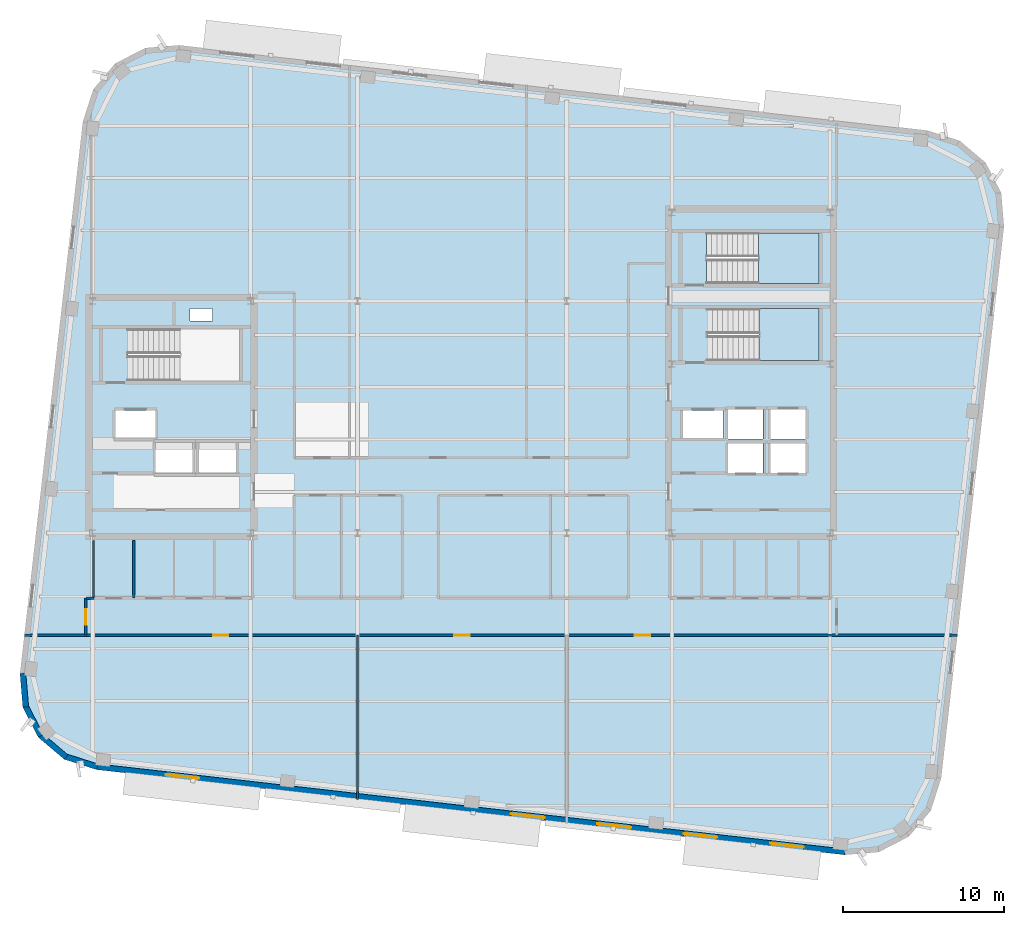
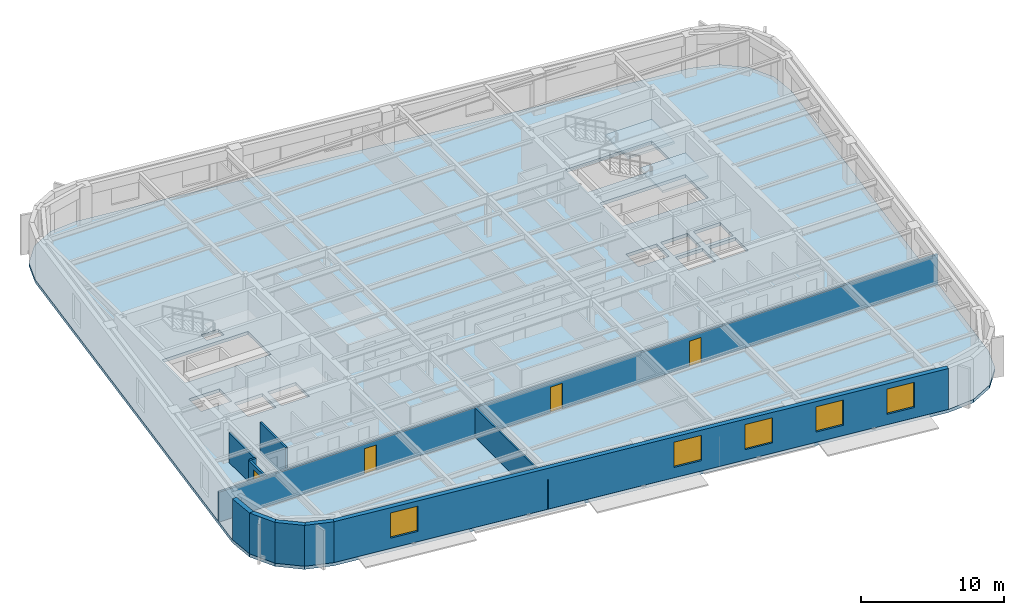
# One storey, part 5 of 14: 11 walls, 5 windows, 4 doors, 3 slabs, 9 openings, 2 elements without a shape of their own.
"""IFC4 building model written with IfcOpenShell, lengths in metres."""

from ifc_helpers import new_model, si_unit, direction, frame, frame_2d, origin, place, context, subcontext, project, spatial, polyline, rectangle, outline, extrude, material, layer, layer_set, type_object, element, fill, aggregate, save


model = new_model("IFC4")

# Units and contexts
model_context = context("Model", 3, precision=1e-05, world=origin(), true_north=direction((0.0, 1.0)))
body_context = subcontext(model_context, "Body", "Model", "MODEL_VIEW")
ifc_project = project(units=[si_unit("LENGTHUNIT", "METRE"), si_unit("AREAUNIT", "SQUARE_METRE"), si_unit("VOLUMEUNIT", "CUBIC_METRE"), si_unit("PLANEANGLEUNIT", "RADIAN"), si_unit("MASSUNIT", "GRAM", prefix="KILO")], contexts=[model_context])

# Site, building, storey
site_placement = place(None, origin())
site = spatial("IfcSite", under=ifc_project, at=site_placement, CompositionType="ELEMENT")
building_placement = place(site_placement, origin())
building = spatial("IfcBuilding", under=site, at=building_placement, Name="Kolvaren Arena Tower", CompositionType="ELEMENT")
storey_placement = place(building_placement, frame((0.0, 0.0, 258.449951171875)))
storey = spatial("IfcBuildingStorey", under=building, at=storey_placement, Name="L63", CompositionType="ELEMENT", Elevation=258.449951171875)

# Stair, slab
ifc_material_1 = material(Name="Concrete 45 MPa", Category="concrete")
stair_type_1 = type_object("IfcStairType", Name="STAIR-CORE-165", PredefinedType="HALF_TURN_STAIR", material=ifc_material_1)
stair_1_placement = place(storey_placement, origin())
stair_1 = element("IfcStair", 1, at=stair_1_placement, inside=storey, type_object=stair_type_1, Name="L63 ST-E1", PredefinedType="HALF_TURN_STAIR")
ifc_layer_1 = layer(ifc_material_1, 0.199951171875)
ifc_layer_set_1 = layer_set([ifc_layer_1], Name="Concrete 45 MPa")
slab_type_1 = type_object("IfcSlabType", Name="SLAB-LAND", PredefinedType="LANDING", material=ifc_layer_set_1)
slab_1_placement = place(storey_placement, frame((0.0, 0.0, 1.675048828125)))
slab_1 = element("IfcSlab", 2, at=slab_1_placement, type_object=slab_type_1, Name="ST-E1 landing 1", PredefinedType="LANDING", context=body_context, shape_type="SweptSolid", body=[
    extrude(outline(polyline([(55.9599609375, 30.14990234375), (59.659912109375, 30.14990234375), (59.659912109375, 33.3798828125), (55.9599609375, 33.3798828125), (55.9599609375, 30.14990234375)])), origin(), (0.0, 0.0, 1.0), 0.199951171875),
])
aggregate(stair_1, [slab_1])

stair_type_2 = type_object("IfcStairType", Name="STAIR-CORE-150", PredefinedType="HALF_TURN_STAIR", material=ifc_material_1)
stair_2_placement = place(storey_placement, origin())
stair_2 = element("IfcStair", 3, at=stair_2_placement, inside=storey, type_object=stair_type_2, Name="L63 ST-E2", PredefinedType="HALF_TURN_STAIR")
slab_2_placement = place(storey_placement, frame((0.0, 0.0, 1.675048828125)))
slab_2 = element("IfcSlab", 4, at=slab_2_placement, type_object=slab_type_1, Name="ST-E2 landing 1", PredefinedType="LANDING", context=body_context, shape_type="SweptSolid", body=[
    extrude(outline(polyline([(55.919921875, 34.949951171875), (59.659912109375, 34.949951171875), (59.659912109375, 38.10009765625), (55.919921875, 38.10009765625), (55.919921875, 34.949951171875)])), origin(), (0.0, 0.0, 1.0), 0.199951171875),
])
aggregate(stair_2, [slab_2])

# Slab
ifc_layer_2 = layer(ifc_material_1, 0.27001953125)
ifc_layer_set_2 = layer_set([ifc_layer_2], Name="Concrete 45 MPa")
slab_type_2 = type_object("IfcSlabType", Name="SLAB-OFF2", PredefinedType="FLOOR", material=ifc_layer_set_2)
slab_3_placement = place(storey_placement, frame((0.0, 0.0, -0.27001953125)))
element("IfcSlab", 5, at=slab_3_placement, inside=storey, type_object=slab_type_2, Name="L63 Primary Structural Slab", PredefinedType="FLOOR", context=body_context, shape_type="SweptSolid", body=[
    extrude(outline(polyline([(61.285400390625, -0.553466796875), (63.38525390625, -0.37890625), (65.25830078125, 0.585693359375), (66.619873046875, 2.194091796875), (67.26220703125, 4.20068359375), (71.16748046875, 38.47900390625), (70.9931640625, 40.57861328125), (70.0283203125, 42.45166015625), (68.42041015625, 43.81298828125), (66.41357421875, 44.455322265625), (19.91455078125, 49.75341796875), (17.814697265625, 49.578857421875), (15.941650390625, 48.6142578125), (14.580078125, 47.006103515625), (13.93798828125, 44.99951171875), (10.032470703125, 10.72119140625), (10.206787109375, 8.621337890625), (11.171630859375, 6.748291015625), (12.77978515625, 5.386962890625), (14.786376953125, 4.74462890625), (61.285400390625, -0.553466796875)]), holes=[polyline([(20.739990234375, 23.135009765625), (18.4599609375, 23.135009765625), (18.4599609375, 25.06494140625), (20.739990234375, 25.06494140625), (20.739990234375, 23.135009765625)]), polyline([(21.159912109375, 23.135009765625), (21.159912109375, 25.06494140625), (23.43994140625, 25.06494140625), (23.43994140625, 23.135009765625), (21.159912109375, 23.135009765625)]), polyline([(56.2099609375, 23.18505859375), (54.030029296875, 23.18505859375), (54.030029296875, 25.014892578125), (56.2099609375, 25.014892578125), (56.2099609375, 23.18505859375)]), polyline([(56.669921875, 23.18505859375), (56.669921875, 25.014892578125), (58.85009765625, 25.014892578125), (58.85009765625, 23.18505859375), (56.669921875, 23.18505859375)]), polyline([(54.030029296875, 25.284912109375), (54.030029296875, 27.114990234375), (56.2099609375, 27.114990234375), (56.2099609375, 25.284912109375), (54.030029296875, 25.284912109375)]), polyline([(58.85009765625, 25.284912109375), (56.669921875, 25.284912109375), (56.669921875, 27.114990234375), (58.85009765625, 27.114990234375), (58.85009765625, 25.284912109375)]), polyline([(15.9599609375, 25.3349609375), (15.9599609375, 27.06494140625), (18.43994140625, 27.06494140625), (18.43994140625, 25.3349609375), (15.9599609375, 25.3349609375)]), polyline([(53.699951171875, 25.3349609375), (51.219970703125, 25.3349609375), (51.219970703125, 27.06494140625), (53.699951171875, 27.06494140625), (53.699951171875, 25.3349609375)]), polyline([(16.735107421875, 28.89990234375), (16.735107421875, 32.1298828125), (23.659912109375, 32.1298828125), (23.659912109375, 28.89990234375), (16.735107421875, 28.89990234375)]), polyline([(52.735107421875, 30.14990234375), (52.735107421875, 33.3798828125), (59.659912109375, 33.3798828125), (59.659912109375, 30.14990234375), (52.735107421875, 30.14990234375)]), polyline([(20.60009765625, 32.6201171875), (20.60009765625, 33.39990234375), (22.0, 33.39990234375), (22.0, 32.6201171875), (20.60009765625, 32.6201171875)]), polyline([(52.695068359375, 34.949951171875), (52.695068359375, 38.10009765625), (59.659912109375, 38.10009765625), (59.659912109375, 34.949951171875), (52.695068359375, 34.949951171875)])]), origin(), (0.0, 0.0, 1.0), 0.27001953125),
])

# Wall, openings, doors
ifc_material_2 = material(Name="Gypsum board acoustic assembly", Category="gypsum")
ifc_layer_3 = layer(ifc_material_2, 0.159912109375)
ifc_layer_set_3 = layer_set([ifc_layer_3], Name="Gypsum board acoustic assembly")
wall_type_1 = type_object("IfcWallType", Name="CORR-160", PredefinedType="PARTITIONING", material=ifc_layer_set_3)
wall_1_placement = place(storey_placement, frame((10.303466796875, 13.10009765625, 0.0), z_axis=(0.0, 0.0, 1.0), x_axis=(1.0, 0.0, 0.0)))
wall_1 = element("IfcWall", 6, at=wall_1_placement, inside=storey, type_object=wall_type_1, Name="Interior Partition Wall (L63)", PredefinedType="PARTITIONING", context=body_context, shape_type="SweptSolid", body=[
    extrude(rectangle(XDim=57.97265625, YDim=0.159912109375, at=frame_2d((28.986328125, 0.0))), origin(), (0.0, 0.0, 1.0), 2.5400390625),
])
opening_1_placement = place(wall_1_placement, frame((11.7216796875, 0.0, 0.0)))
opening_1 = element("IfcOpeningElement", 7, at=opening_1_placement, cuts=wall_1, Name="Opening D05", PredefinedType="OPENING", context=body_context, shape_type="SweptSolid", body=[
    extrude(rectangle(XDim=0.949951171875, YDim=2.14990234375, at=frame_2d((0.47509765625, 1.074951171875))), frame((0.0, 0.08984375, 0.0), z_axis=(0.0, -1.0, 0.0), x_axis=(1.0, 0.0, 0.0)), (0.0, 0.0, 1.0), 0.179931640625),
])
opening_2_placement = place(wall_1_placement, frame((26.7216796875, 0.0, 0.0)))
opening_2 = element("IfcOpeningElement", 8, at=opening_2_placement, cuts=wall_1, Name="Opening D05", PredefinedType="OPENING", context=body_context, shape_type="SweptSolid", body=[
    extrude(rectangle(XDim=0.949951171875, YDim=2.14990234375, at=frame_2d((0.47509765625, 1.074951171875))), frame((0.0, 0.08984375, 0.0), z_axis=(0.0, -1.0, 0.0), x_axis=(1.0, 0.0, 0.0)), (0.0, 0.0, 1.0), 0.179931640625),
])
opening_3_placement = place(wall_1_placement, frame((37.921630859375, 0.0, 0.0)))
opening_3 = element("IfcOpeningElement", 9, at=opening_3_placement, cuts=wall_1, Name="Opening D05", PredefinedType="OPENING", context=body_context, shape_type="SweptSolid", body=[
    extrude(rectangle(XDim=0.949951171875, YDim=2.14990234375, at=frame_2d((0.47509765625, 1.074951171875))), frame((0.0, 0.08984375, 0.0), z_axis=(0.0, -1.0, 0.0), x_axis=(1.0, 0.0, 0.0)), (0.0, 0.0, 1.0), 0.179931640625),
])
ifc_material_3 = material(Name="Solid-core oak acoustic office door", Category="wood")
door_type = type_object("IfcDoorType", Name="DOOR-OF-095", OperationType="NOTDEFINED", PredefinedType="DOOR", material=ifc_material_3)
door_1_placement = place(opening_1_placement, origin())
door_1 = element("IfcDoor", 10, at=door_1_placement, inside=storey, type_object=door_type, Name="Open Plan Office Door (L63)", OperationType="SINGLE_SWING_LEFT", OverallHeight=2.14990234375, OverallWidth=0.949951171875, PredefinedType="DOOR", context=body_context, shape_type="SweptSolid", body=[
    extrude(rectangle(XDim=0.949951171875, YDim=2.14990234375, at=frame_2d((0.47509765625, 1.074951171875))), frame((0.0, 0.02490234375, 0.0), z_axis=(0.0, -1.0, 0.0), x_axis=(1.0, 0.0, 0.0)), (0.0, 0.0, 1.0), 0.050048828125),
])
fill(opening_1, door_1)
door_2_placement = place(opening_2_placement, origin())
door_2 = element("IfcDoor", 11, at=door_2_placement, inside=storey, type_object=door_type, Name="Open Plan Office Door (L63)", OperationType="SINGLE_SWING_RIGHT", OverallHeight=2.14990234375, OverallWidth=0.949951171875, PredefinedType="DOOR", context=body_context, shape_type="SweptSolid", body=[
    extrude(rectangle(XDim=0.949951171875, YDim=2.14990234375, at=frame_2d((0.47509765625, 1.074951171875))), frame((0.0, 0.02490234375, 0.0), z_axis=(0.0, -1.0, 0.0), x_axis=(1.0, 0.0, 0.0)), (0.0, 0.0, 1.0), 0.050048828125),
])
fill(opening_2, door_2)
door_3_placement = place(opening_3_placement, origin())
door_3 = element("IfcDoor", 12, at=door_3_placement, inside=storey, type_object=door_type, Name="Collaborative Work Studio Door (L63)", OperationType="SINGLE_SWING_LEFT", OverallHeight=2.14990234375, OverallWidth=0.949951171875, PredefinedType="DOOR", context=body_context, shape_type="SweptSolid", body=[
    extrude(rectangle(XDim=0.949951171875, YDim=2.14990234375, at=frame_2d((0.47509765625, 1.074951171875))), frame((0.0, 0.02490234375, 0.0), z_axis=(0.0, -1.0, 0.0), x_axis=(1.0, 0.0, 0.0)), (0.0, 0.0, 1.0), 0.050048828125),
])
fill(opening_3, door_3)

# Wall, opening, door
wall_2_placement = place(storey_placement, frame((14.1201171875, 13.10009765625, 0.0), z_axis=(0.0, 0.0, 1.0), x_axis=(0.0, 1.0, 0.0)))
wall_2 = element("IfcWall", 13, at=wall_2_placement, inside=storey, type_object=wall_type_1, Name="Interior Partition Wall (L63)", PredefinedType="PARTITIONING", context=body_context, shape_type="SweptSolid", body=[
    extrude(rectangle(XDim=2.2998046875, YDim=0.159912109375, at=frame_2d((1.14990234375, 0.0))), origin(), (0.0, 0.0, 1.0), 2.5400390625),
])
opening_4_placement = place(wall_2_placement, frame((0.64990234375, 0.0, 0.0)))
opening_4 = element("IfcOpeningElement", 14, at=opening_4_placement, cuts=wall_2, Name="Opening D05", PredefinedType="OPENING", context=body_context, shape_type="SweptSolid", body=[
    extrude(rectangle(XDim=0.949951171875, YDim=2.14990234375, at=frame_2d((0.47509765625, 1.074951171875))), frame((0.0, 0.08984375, 0.0), z_axis=(0.0, -1.0, 0.0), x_axis=(1.0, 0.0, 0.0)), (0.0, 0.0, 1.0), 0.179931640625),
])
door_4_placement = place(opening_4_placement, origin())
door_4 = element("IfcDoor", 15, at=door_4_placement, inside=storey, type_object=door_type, Name="West Wing Office Door (L63)", OperationType="SINGLE_SWING_LEFT", OverallHeight=2.14990234375, OverallWidth=0.949951171875, PredefinedType="DOOR", context=body_context, shape_type="SweptSolid", body=[
    extrude(rectangle(XDim=0.949951171875, YDim=2.14990234375, at=frame_2d((0.47509765625, 1.074951171875))), frame((0.0, 0.02490234375, 0.0), z_axis=(0.0, -1.0, 0.0), x_axis=(1.0, 0.0, 0.0)), (0.0, 0.0, 1.0), 0.050048828125),
])
fill(opening_4, door_4)

# Walls
wall_3_placement = place(storey_placement, frame((14.1201171875, 15.39990234375, 0.0), z_axis=(0.0, 0.0, 1.0), x_axis=(1.0, 0.0, 0.0)))
element("IfcWall", 16, at=wall_3_placement, inside=storey, type_object=wall_type_1, Name="Interior Partition Wall (L63)", PredefinedType="PARTITIONING", context=body_context, shape_type="SweptSolid", body=[
    extrude(rectangle(XDim=0.5, YDim=0.159912109375, at=frame_2d((0.25, 0.0))), origin(), (0.0, 0.0, 1.0), 2.5400390625),
])
ifc_material_4 = material(Name="Precast concrete C50/60", Category="concrete")
ifc_layer_4 = layer(ifc_material_4, 0.360107421875)
ifc_layer_set_4 = layer_set([ifc_layer_4], Name="Precast concrete C50/60")
wall_type_2 = type_object("IfcWallType", Name="EXT-PIER2", PredefinedType="SOLIDWALL", material=ifc_layer_set_4)
wall_4_placement = place(storey_placement, frame((10.38623046875, 8.63623046875, 0.0), z_axis=(0.0, 0.0, 1.0), x_axis=(-0.082729038891, 0.996572077737, 0.0)))
element("IfcWall", 17, at=wall_4_placement, inside=storey, type_object=wall_type_2, Name="Exterior Precast Masonry-Frame Wall (L63)", PredefinedType="SOLIDWALL", context=body_context, shape_type="SweptSolid", body=[
    extrude(rectangle(XDim=2.107177734375, YDim=0.360107421875, at=frame_2d((1.0537109375, 0.0))), origin(), (0.0, 0.0, 1.0), 3.47998046875),
])
for number, where, z_axis, x_axis, name in (
    (18, (11.33154296875, 6.830810546875, 0.0), (0.0, 0.0, 1.0), (-0.457934390142, 0.888985992199, 0.0), "Exterior Precast Masonry-Frame Wall (L63)"),
    (19, (12.89599609375, 5.5244140625, 0.0), (0.0, 0.0, 1.0), (-0.763250018691, 0.646103249464, 0.0), "Exterior Precast Masonry-Frame Wall (L63)"),
    (20, (14.84130859375, 4.916015625, 0.0), (0.0, 0.0, 1.0), (-0.952393196904, 0.304872429864, 0.0), "Exterior Precast Masonry-Frame Wall (L63)"),
):
    element("IfcWall", number, at=place(storey_placement, frame(where, z_axis=z_axis, x_axis=x_axis)), inside=storey, type_object=wall_type_2, Name=name, PredefinedType="SOLIDWALL", context=body_context, shape_type="SweptSolid", body=[
        extrude(rectangle(XDim=2.10693359375, YDim=0.360107421875, at=frame_2d((1.053466796875, 0.0))), origin(), (0.0, 0.0, 1.0), 3.47998046875),
    ])

# Wall, openings, windows
wall_5_placement = place(storey_placement, frame((61.305908203125, -0.37451171875, 0.0), z_axis=(0.0, 0.0, 1.0), x_axis=(-0.993571958919, 0.113202307616, 0.0)))
wall_5 = element("IfcWall", 21, at=wall_5_placement, inside=storey, type_object=wall_type_2, Name="Exterior Precast Masonry-Frame Wall (L63)", PredefinedType="SOLIDWALL", context=body_context, shape_type="SweptSolid", body=[
    extrude(rectangle(XDim=46.7998046875, YDim=0.360107421875, at=frame_2d((23.39990234375, 0.0))), origin(), (0.0, 0.0, 1.0), 3.47998046875),
])
opening_5_placement = place(wall_5_placement, frame((2.60009765625, 0.0, 0.8798828125)))
opening_5 = element("IfcOpeningElement", 22, at=opening_5_placement, cuts=wall_5, Name="Opening W01", PredefinedType="OPENING", context=body_context, shape_type="SweptSolid", body=[
    extrude(rectangle(XDim=2.10009765625, YDim=2.14990234375, at=frame_2d((1.050048828125, 1.074951171875))), frame((0.0, 0.18994140625, 0.0), z_axis=(0.0, -1.0, 0.0), x_axis=(1.0, 0.0, 0.0)), (0.0, 0.0, 1.0), 0.380126953125),
])
opening_6_placement = place(wall_5_placement, frame((8.0, 0.0, 0.8798828125)))
opening_6 = element("IfcOpeningElement", 23, at=opening_6_placement, cuts=wall_5, Name="Opening W01", PredefinedType="OPENING", context=body_context, shape_type="SweptSolid", body=[
    extrude(rectangle(XDim=2.10009765625, YDim=2.14990234375, at=frame_2d((1.050048828125, 1.074951171875))), frame((0.0, 0.18994140625, 0.0), z_axis=(0.0, -1.0, 0.0), x_axis=(1.0, 0.0, 0.0)), (0.0, 0.0, 1.0), 0.380126953125),
])
opening_7_placement = place(wall_5_placement, frame((13.39990234375, 0.0, 0.8798828125)))
opening_7 = element("IfcOpeningElement", 24, at=opening_7_placement, cuts=wall_5, Name="Opening W01", PredefinedType="OPENING", context=body_context, shape_type="SweptSolid", body=[
    extrude(rectangle(XDim=2.10009765625, YDim=2.14990234375, at=frame_2d((1.050048828125, 1.074951171875))), frame((0.0, 0.18994140625, 0.0), z_axis=(0.0, -1.0, 0.0), x_axis=(1.0, 0.0, 0.0)), (0.0, 0.0, 1.0), 0.380126953125),
])
opening_8_placement = place(wall_5_placement, frame((18.800048828125, 0.0, 0.8798828125)))
opening_8 = element("IfcOpeningElement", 25, at=opening_8_placement, cuts=wall_5, Name="Opening W01", PredefinedType="OPENING", context=body_context, shape_type="SweptSolid", body=[
    extrude(rectangle(XDim=2.10009765625, YDim=2.14990234375, at=frame_2d((1.050048828125, 1.074951171875))), frame((0.0, 0.18994140625, 0.0), z_axis=(0.0, -1.0, 0.0), x_axis=(1.0, 0.0, 0.0)), (0.0, 0.0, 1.0), 0.380126953125),
])
opening_9_placement = place(wall_5_placement, frame((40.39990234375, 0.0, 0.8798828125)))
opening_9 = element("IfcOpeningElement", 26, at=opening_9_placement, cuts=wall_5, Name="Opening W01", PredefinedType="OPENING", context=body_context, shape_type="SweptSolid", body=[
    extrude(rectangle(XDim=2.10009765625, YDim=2.14990234375, at=frame_2d((1.050048828125, 1.074951171875))), frame((0.0, 0.18994140625, 0.0), z_axis=(0.0, -1.0, 0.0), x_axis=(1.0, 0.0, 0.0)), (0.0, 0.0, 1.0), 0.380126953125),
])
ifc_material_5 = material(Name="Triple-glazed low-E aluminium window", Category="aluminium")
window_type = type_object("IfcWindowType", Name="WIN-OFF-A", PartitioningType="DOUBLE_PANEL_VERTICAL", PredefinedType="WINDOW", material=ifc_material_5)
window_1_placement = place(opening_5_placement, origin())
window_1 = element("IfcWindow", 27, at=window_1_placement, inside=storey, type_object=window_type, Name="Punched Precast-Pier Window (L63)", OverallHeight=2.14990234375, OverallWidth=2.10009765625, PartitioningType="DOUBLE_PANEL_VERTICAL", PredefinedType="WINDOW", context=body_context, shape_type="SweptSolid", body=[
    extrude(rectangle(XDim=2.10009765625, YDim=2.14990234375, at=frame_2d((1.050048828125, 1.074951171875))), frame((0.0, 0.030029296875, 0.0), z_axis=(0.0, -1.0, 0.0), x_axis=(1.0, 0.0, 0.0)), (0.0, 0.0, 1.0), 0.06005859375),
])
fill(opening_5, window_1)
window_2_placement = place(opening_6_placement, origin())
window_2 = element("IfcWindow", 28, at=window_2_placement, inside=storey, type_object=window_type, Name="Punched Precast-Pier Window (L63)", OverallHeight=2.14990234375, OverallWidth=2.10009765625, PartitioningType="DOUBLE_PANEL_VERTICAL", PredefinedType="WINDOW", context=body_context, shape_type="SweptSolid", body=[
    extrude(rectangle(XDim=2.10009765625, YDim=2.14990234375, at=frame_2d((1.050048828125, 1.074951171875))), frame((0.0, 0.030029296875, 0.0), z_axis=(0.0, -1.0, 0.0), x_axis=(1.0, 0.0, 0.0)), (0.0, 0.0, 1.0), 0.06005859375),
])
fill(opening_6, window_2)
window_3_placement = place(opening_7_placement, origin())
window_3 = element("IfcWindow", 29, at=window_3_placement, inside=storey, type_object=window_type, Name="Punched Precast-Pier Window (L63)", OverallHeight=2.14990234375, OverallWidth=2.10009765625, PartitioningType="DOUBLE_PANEL_VERTICAL", PredefinedType="WINDOW", context=body_context, shape_type="SweptSolid", body=[
    extrude(rectangle(XDim=2.10009765625, YDim=2.14990234375, at=frame_2d((1.050048828125, 1.074951171875))), frame((0.0, 0.030029296875, 0.0), z_axis=(0.0, -1.0, 0.0), x_axis=(1.0, 0.0, 0.0)), (0.0, 0.0, 1.0), 0.06005859375),
])
fill(opening_7, window_3)
window_4_placement = place(opening_8_placement, origin())
window_4 = element("IfcWindow", 30, at=window_4_placement, inside=storey, type_object=window_type, Name="Punched Precast-Pier Window (L63)", OverallHeight=2.14990234375, OverallWidth=2.10009765625, PartitioningType="DOUBLE_PANEL_VERTICAL", PredefinedType="WINDOW", context=body_context, shape_type="SweptSolid", body=[
    extrude(rectangle(XDim=2.10009765625, YDim=2.14990234375, at=frame_2d((1.050048828125, 1.074951171875))), frame((0.0, 0.030029296875, 0.0), z_axis=(0.0, -1.0, 0.0), x_axis=(1.0, 0.0, 0.0)), (0.0, 0.0, 1.0), 0.06005859375),
])
fill(opening_8, window_4)
window_5_placement = place(opening_9_placement, origin())
window_5 = element("IfcWindow", 31, at=window_5_placement, inside=storey, type_object=window_type, Name="Punched Precast-Pier Window (L63)", OverallHeight=2.14990234375, OverallWidth=2.10009765625, PartitioningType="DOUBLE_PANEL_VERTICAL", PredefinedType="WINDOW", context=body_context, shape_type="SweptSolid", body=[
    extrude(rectangle(XDim=2.10009765625, YDim=2.14990234375, at=frame_2d((1.050048828125, 1.074951171875))), frame((0.0, 0.030029296875, 0.0), z_axis=(0.0, -1.0, 0.0), x_axis=(1.0, 0.0, 0.0)), (0.0, 0.0, 1.0), 0.06005859375),
])
fill(opening_9, window_5)

# Walls
ifc_material_6 = material(Name="Gypsum board partition assembly", Category="gypsum")
ifc_layer_5 = layer(ifc_material_6, 0.135009765625)
ifc_layer_set_5 = layer_set([ifc_layer_5], Name="Gypsum board partition assembly")
wall_type_3 = type_object("IfcWallType", Name="PART-135", PredefinedType="PARTITIONING", material=ifc_layer_set_5)
wall_6_placement = place(storey_placement, frame((31.0, 2.897216796875, 0.0), z_axis=(0.0, 0.0, 1.0), x_axis=(0.0, 1.0, 0.0)))
element("IfcWall", 32, at=wall_6_placement, inside=storey, type_object=wall_type_3, Name="Interior Partition Wall (L63)", PredefinedType="PARTITIONING", context=body_context, shape_type="SweptSolid", body=[
    extrude(rectangle(XDim=10.202880859375, YDim=0.135009765625, at=frame_2d((5.1015625, 0.0))), origin(), (0.0, 0.0, 1.0), 2.5400390625),
])
ifc_material_7 = material(Name="Moisture-resistant gypsum assembly", Category="gypsum")
ifc_layer_6 = layer(ifc_material_7, 0.14990234375)
ifc_layer_set_6 = layer_set([ifc_layer_6], Name="Moisture-resistant gypsum assembly")
wall_type_4 = type_object("IfcWallType", Name="WETW-150", PredefinedType="PARTITIONING", material=ifc_layer_set_6)
for number, where, z_axis, x_axis, name in (
    (33, (17.10009765625, 15.39990234375, 0.0), (0.0, 0.0, 1.0), (0.0, 1.0, 0.0), "Interior Partition Wall (L63)"),
    (34, (14.60009765625, 15.39990234375, 0.0), (0.0, 0.0, 1.0), (0.0, 1.0, 0.0), "Interior Partition Wall (L63)"),
):
    element("IfcWall", number, at=place(storey_placement, frame(where, z_axis=z_axis, x_axis=x_axis)), inside=storey, type_object=wall_type_4, Name=name, PredefinedType="PARTITIONING", context=body_context, shape_type="SweptSolid", body=[
        extrude(rectangle(XDim=3.580078125, YDim=0.14990234375, at=frame_2d((1.7900390625, 0.0))), origin(), (0.0, 0.0, 1.0), 2.5400390625),
    ])

save(model, "model.ifc")
